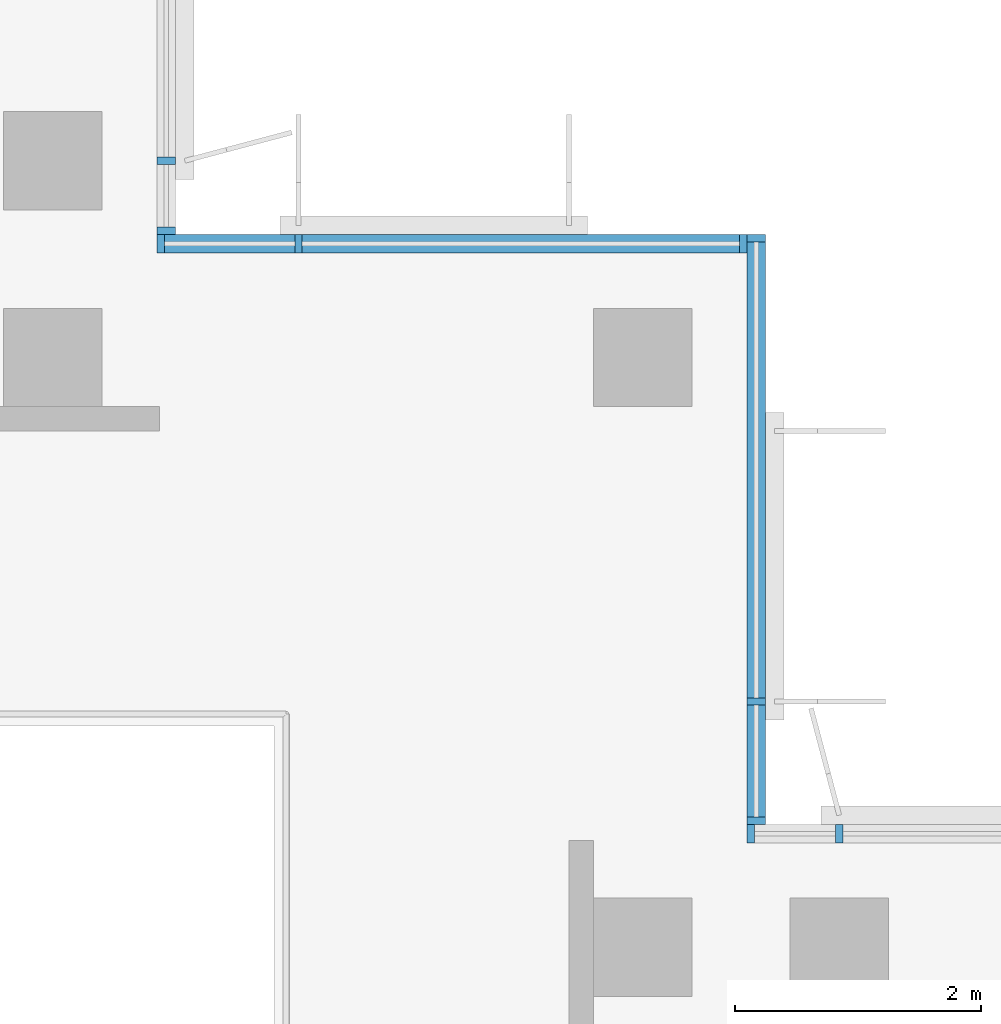
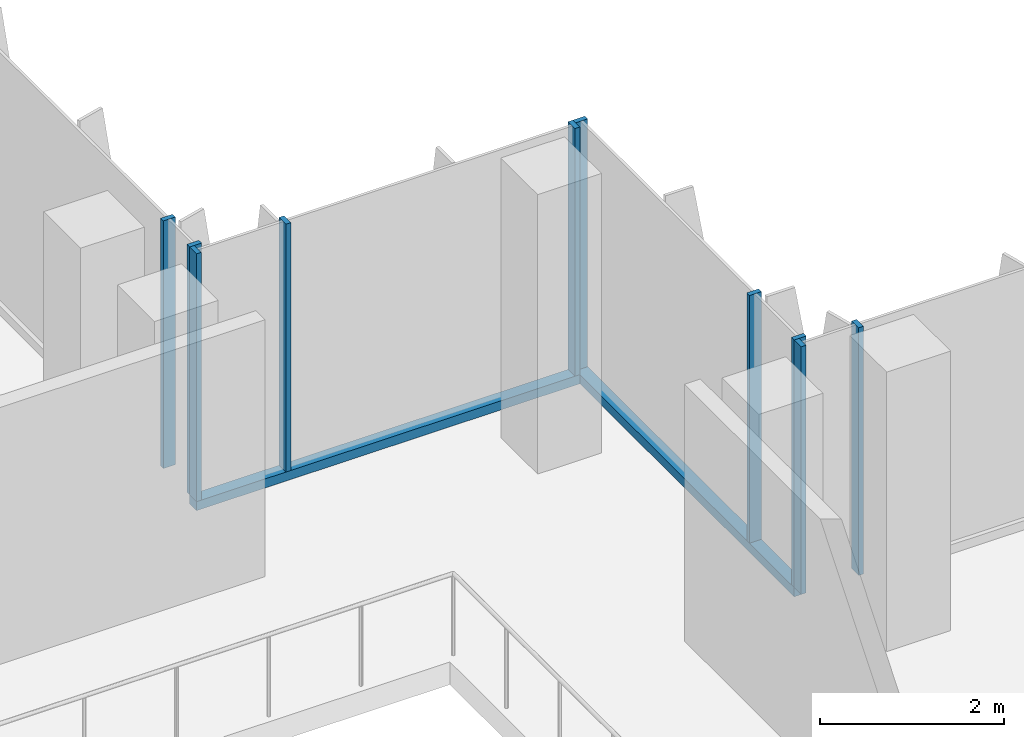
# One storey, part 2 of 15: 12 members, 4 elements without a shape of their own.
"""IFC4 building model written with IfcOpenShell, lengths in metres."""

import ifcopenshell
import ifcopenshell.guid

model = None  # the IFC model being written
_history = None  # IfcOwnerHistory: only IFC2X3 demands one
_inside = {}  # id of a spatial element -> (the spatial element, [elements in it])
_under = {}  # id of a project, library or spatial element -> (it, [spatial elements below it])
_declared = {}  # id of a project -> (the project, [libraries it declares])
_typed = {}  # id of a type object -> (the type object, [elements of that type])
_made_of = {}  # id of a material, layer set ... -> (it, [elements and type objects made of it])


def new_model(schema):
    """Start an empty IFC model of exactly this schema.

    Asked for "IFC4X3", IfcOpenShell would pick the latest addendum, in which some entities
    have other attributes; the version numbers below select the first issue.
    IFC2X3 requires an IfcOwnerHistory on every rooted entity: one is made here for all.
    """
    global model, _history
    if schema == "IFC4X3":
        model = ifcopenshell.file(schema_version=(4, 3, 0, 0))
    else:
        model = ifcopenshell.file(schema=schema)
    _inside.clear()
    _under.clear()
    _declared.clear()
    _typed.clear()
    _made_of.clear()
    _history = None
    if model.schema == "IFC2X3":
        org = make("IfcOrganization", Name="unknown")
        user = make(
            "IfcPersonAndOrganization",
            ThePerson=make("IfcPerson", FamilyName="unknown"),
            TheOrganization=org,
        )
        app = make(
            "IfcApplication",
            ApplicationDeveloper=org,
            Version="unknown",
            ApplicationFullName="unknown",
            ApplicationIdentifier="unknown",
        )
        _history = make(
            "IfcOwnerHistory",
            OwningUser=user,
            OwningApplication=app,
            ChangeAction="ADDED",
            CreationDate=0,
        )
    return model


def make(cls, **values):
    """One entity of the class cls with the attributes given. An attribute that is None is left unset."""
    return model.create_entity(
        cls, **{name: value for name, value in values.items() if value is not None}
    )


def rooted(cls, **values):
    """An entity with a GlobalId (a new one), such as an element, a storey or a relation."""
    return make(cls, GlobalId=ifcopenshell.guid.new(), OwnerHistory=_history, **values)


def si_unit(unit_type, name, prefix=None):
    """IfcSIUnit, for example si_unit("LENGTHUNIT", "METRE", prefix="MILLI")."""
    return make("IfcSIUnit", UnitType=unit_type, Prefix=prefix, Name=name)


def assignment(units):
    """IfcUnitAssignment: the units of a project."""
    return None if units is None else make("IfcUnitAssignment", Units=units)


def point(xyz):
    """IfcCartesianPoint."""
    return None if xyz is None else make("IfcCartesianPoint", Coordinates=xyz)


def direction(xyz):
    """IfcDirection."""
    return None if xyz is None else make("IfcDirection", DirectionRatios=xyz)


def frame(location, z_axis=None, x_axis=None):
    """IfcAxis2Placement3D, a coordinate frame: its origin and axes. An axis left out is left unset."""
    return make(
        "IfcAxis2Placement3D",
        Location=point(location),
        Axis=direction(z_axis),
        RefDirection=direction(x_axis),
    )


def frame_2d(location, x_axis=None):
    """IfcAxis2Placement2D, a coordinate frame in the plane: its origin and x axis."""
    return make(
        "IfcAxis2Placement2D", Location=point(location), RefDirection=direction(x_axis)
    )


def origin():
    """The frame at (0, 0, 0) with its axes left unset."""
    return frame((0.0, 0.0, 0.0))


def origin_2d():
    """The frame at (0, 0) in the plane with its x axis left unset."""
    return frame_2d((0.0, 0.0))


def place(relative_to, where):
    """IfcLocalPlacement: puts the frame where relative to a parent placement (None: the world)."""
    return make(
        "IfcLocalPlacement", PlacementRelTo=relative_to, RelativePlacement=where
    )


def context(
    kind, dimensions, precision=None, world=None, true_north=None, identifier=None
):
    """IfcGeometricRepresentationContext, for example the 3D "Model" context."""
    return make(
        "IfcGeometricRepresentationContext",
        ContextIdentifier=identifier,
        ContextType=kind,
        CoordinateSpaceDimension=dimensions,
        Precision=precision,
        WorldCoordinateSystem=world,
        TrueNorth=true_north,
    )


def subcontext(parent, identifier, kind, view, scale=None):
    """IfcGeometricRepresentationSubContext, for example "Body" below "Model"."""
    return make(
        "IfcGeometricRepresentationSubContext",
        ContextIdentifier=identifier,
        ContextType=kind,
        ParentContext=parent,
        TargetScale=scale,
        TargetView=view,
    )


def project(units=None, contexts=None):
    """IfcProject with its units and contexts."""
    return rooted(
        "IfcProject",
        Name="project",
        RepresentationContexts=contexts,
        UnitsInContext=assignment(units),
    )


def spatial(cls, under=None, at=None, **own):
    """A site, building, storey or space (cls), placed at a placement, below another one or the project."""
    s = rooted(cls, ObjectPlacement=at, **own)
    if under is not None:
        _under.setdefault(under.id(), (under, []))[1].append(s)
    return s


def profile(cls, at=None, kind="AREA", **sizes):
    """A parametric profile (cls). Its sizes go by their IFC names, for example OverallWidth=200.0."""
    return make(cls, ProfileType=kind, Position=at, **sizes)


def rectangle(**sizes):
    """IfcRectangleProfileDef."""
    return profile("IfcRectangleProfileDef", **sizes)


def extrude(swept, where, along, depth):
    """IfcExtrudedAreaSolid: the profile swept, set in the frame where, extruded along a direction by depth."""
    return make(
        "IfcExtrudedAreaSolid",
        SweptArea=swept,
        Position=where,
        ExtrudedDirection=direction(along),
        Depth=depth,
    )


def shape(context_of_items, identifier, shape_type, items):
    """IfcShapeRepresentation: the items that make up one representation, for example the "Body"."""
    return make(
        "IfcShapeRepresentation",
        ContextOfItems=context_of_items,
        RepresentationIdentifier=identifier,
        RepresentationType=shape_type,
        Items=items,
    )


def source(mapping_origin, context_of_items, identifier, shape_type, items):
    """IfcRepresentationMap: a shape defined once, which mapped items show again and again."""
    return make(
        "IfcRepresentationMap",
        MappingOrigin=mapping_origin,
        MappedRepresentation=shape(context_of_items, identifier, shape_type, items),
    )


def transform(
    local_origin,
    x_axis=None,
    y_axis=None,
    z_axis=None,
    scale=None,
    scale2=None,
    scale3=None,
    uniform=True,
):
    """IfcCartesianTransformationOperator3D, or its non-uniform kind. x_axis, y_axis, z_axis: its Axis1, 2, 3."""
    if uniform:
        return make(
            "IfcCartesianTransformationOperator3D",
            Axis1=direction(x_axis),
            Axis2=direction(y_axis),
            LocalOrigin=point(local_origin),
            Scale=scale,
            Axis3=direction(z_axis),
        )
    return make(
        "IfcCartesianTransformationOperator3DnonUniform",
        Axis1=direction(x_axis),
        Axis2=direction(y_axis),
        LocalOrigin=point(local_origin),
        Scale=scale,
        Axis3=direction(z_axis),
        Scale2=scale2,
        Scale3=scale3,
    )


def mapped(mapping_source, mapping_target):
    """IfcMappedItem: shows the shape of a source again, moved by a transform."""
    return make(
        "IfcMappedItem", MappingSource=mapping_source, MappingTarget=mapping_target
    )


def material(Name=None, Category=None):
    """IfcMaterial."""
    return make("IfcMaterial", Name=Name, Category=Category)


def material_profile(
    of_material, cross_section, Name=None, Category=None, Priority=None
):
    """IfcMaterialProfile: a cross section and its material."""
    return make(
        "IfcMaterialProfile",
        Name=Name,
        Material=of_material,
        Profile=cross_section,
        Priority=Priority,
        Category=Category,
    )


def profile_set(profiles, Name=None, composite=None):
    """IfcMaterialProfileSet."""
    return make(
        "IfcMaterialProfileSet",
        Name=Name,
        MaterialProfiles=profiles,
        CompositeProfile=composite,
    )


def made_of(thing, what):
    """Note that an element or type object is made of a material, layer set ...; save() writes the relation."""
    if what is not None:
        _made_of.setdefault(what.id(), (what, []))[1].append(thing)
    return thing


def type_object(cls, material=None, **own):
    """A type object (cls), such as IfcWallType, which elements share."""
    return made_of(rooted(cls, **own), material)


def element(
    cls,
    number,
    at=None,
    inside=None,
    cuts=None,
    type_object=None,
    material=None,
    context=None,
    identifier="Body",
    shape_type=None,
    held_by="IfcProductDefinitionShape",
    body=None,
    shapes=None,
    **own,
):
    """One element of the class cls, such as IfcWall. Its Tag is "e" and its number.

    at: its placement. inside: the storey or other place that contains it. cuts: it is an
    opening in that element (IfcRelVoidsElement). A single representation is given by context,
    identifier, shape_type and body (its items); several are given by shapes. held_by: the class
    of the entity that holds the representations. save() writes the other relations.
    """
    e = rooted(cls, Tag="e%d" % number, ObjectPlacement=at, **own)
    if body is not None:
        shapes = [shape(context, identifier, shape_type, body)]
    if shapes is not None:
        e.Representation = make(held_by, Representations=shapes)
    if inside is not None:
        _inside.setdefault(inside.id(), (inside, []))[1].append(e)
    if cuts is not None:
        rooted(
            "IfcRelVoidsElement", RelatingBuildingElement=cuts, RelatedOpeningElement=e
        )
    if type_object is not None:
        _typed.setdefault(type_object.id(), (type_object, []))[1].append(e)
    return made_of(e, material)


def aggregate(whole, parts):
    """IfcRelAggregates: a whole, such as a stair, and the parts it consists of."""
    return rooted("IfcRelAggregates", RelatingObject=whole, RelatedObjects=parts)


def save(model, path):
    """Write the relations noted so far, then the file.

    IfcRelAggregates (storeys below a building ...), IfcRelContainedInSpatialStructure (elements
    in a storey), IfcRelDefinesByType, IfcRelAssociatesMaterial and IfcRelDeclares: one each for
    every whole, place, type object, material and project.
    """
    for whole, parts in _under.values():
        aggregate(whole, parts)
    for where, things in _inside.values():
        rooted(
            "IfcRelContainedInSpatialStructure",
            RelatedElements=things,
            RelatingStructure=where,
        )
    for kind, things in _typed.values():
        rooted("IfcRelDefinesByType", RelatedObjects=things, RelatingType=kind)
    for what, things in _made_of.values():
        rooted("IfcRelAssociatesMaterial", RelatedObjects=things, RelatingMaterial=what)
    for by, libraries in _declared.values():
        rooted("IfcRelDeclares", RelatingContext=by, RelatedDefinitions=libraries)
    model.write(path)


model = new_model("IFC4")

# Units and contexts
model_context = context("Model", 3, precision=1e-05, world=origin(), true_north=direction((0.0, 1.0)))
body_context = subcontext(model_context, "Body", "Model", "MODEL_VIEW")
ifc_project = project(units=[si_unit("LENGTHUNIT", "METRE"), si_unit("AREAUNIT", "SQUARE_METRE"), si_unit("VOLUMEUNIT", "CUBIC_METRE"), si_unit("PLANEANGLEUNIT", "RADIAN"), si_unit("MASSUNIT", "GRAM", prefix="KILO")], contexts=[model_context])

# Site, building, storey
site_placement = place(None, origin())
site = spatial("IfcSite", under=ifc_project, at=site_placement, CompositionType="ELEMENT")
building_placement = place(site_placement, origin())
building = spatial("IfcBuilding", under=site, at=building_placement, Name="Kemantara Hotel Tower", CompositionType="ELEMENT")
storey_placement = place(building_placement, frame((0.0, 0.0, 279.60009765625)))
storey = spatial("IfcBuildingStorey", under=building, at=storey_placement, Name="L70", CompositionType="ELEMENT", Elevation=279.60009765625)

# Curtain wall, member
ifc_material_1 = material(Name="Low-E tinted double insulated glass 36 mm", Category="glass")
curtain_wall_type = type_object("IfcCurtainWallType", Name="TOWER CURTAIN WALL, FRONT FACES", PredefinedType="USERDEFINED", material=ifc_material_1)
curtain_wall_1_placement = place(storey_placement, origin())
curtain_wall_1 = element("IfcCurtainWall", 1, at=curtain_wall_1_placement, inside=storey, type_object=curtain_wall_type, Name="CW4 L70 T4-R13-1", ObjectType="TOWER CURTAIN WALL, FRONT FACES", PredefinedType="USERDEFINED")
ifc_material_2 = material(Name="Aluminium 6063-T6 bronze anodised", Category="aluminium")
ifc_material_profile_1 = material_profile(ifc_material_2, rectangle(XDim=0.14990234375, YDim=0.1201171875, at=origin_2d()), Name="TOWER CURTAIN WALL, FRONT FACES TRANSOM")
ifc_profile_set_1 = profile_set([ifc_material_profile_1], Name="Aluminium 6063-T6 bronze anodised")
member_type_1 = type_object("IfcMemberType", Name="TOWER CURTAIN WALL, FRONT FACES TRANSOM", PredefinedType="USERDEFINED", material=ifc_profile_set_1)
member_1_placement = place(storey_placement, frame((26.72509765625, 22.0, 0.059814453125), z_axis=(0.0, 1.0, 0.0), x_axis=(-1.0, 0.0, 0.0)))
member_1 = element("IfcMember", 2, at=member_1_placement, type_object=member_type_1, Name="CW4 sill transom T4-R13-1", ObjectType="TRANSOM", PredefinedType="USERDEFINED", context=body_context, shape_type="SweptSolid", body=[
    extrude(rectangle(XDim=0.14990234375, YDim=0.1201171875, at=origin_2d()), origin(), (0.0, 0.0, 1.0), 4.800048828125),
])

curtain_wall_2_placement = place(storey_placement, origin())
curtain_wall_2 = element("IfcCurtainWall", 3, at=curtain_wall_2_placement, inside=storey, type_object=curtain_wall_type, Name="CW4 L70 T4-R14-1", ObjectType="TOWER CURTAIN WALL, FRONT FACES", PredefinedType="USERDEFINED")
member_2_placement = place(storey_placement, frame((26.64990234375, 26.72509765625, 0.059814453125), z_axis=(-1.0, 0.0, 0.0), x_axis=(0.0, -1.0, 0.0)))
member_2 = element("IfcMember", 4, at=member_2_placement, type_object=member_type_1, Name="CW4 sill transom T4-R14-1", ObjectType="TRANSOM", PredefinedType="USERDEFINED", context=body_context, shape_type="SweptSolid", body=[
    extrude(rectangle(XDim=0.14990234375, YDim=0.1201171875, at=origin_2d()), origin(), (0.0, 0.0, 1.0), 4.7998046875),
])

# Curtain wall, members
curtain_wall_3_placement = place(storey_placement, origin())
curtain_wall_3 = element("IfcCurtainWall", 5, at=curtain_wall_3_placement, inside=storey, type_object=curtain_wall_type, Name="CW4 L70 T4-R12-1", ObjectType="TOWER CURTAIN WALL, FRONT FACES", PredefinedType="USERDEFINED")
ifc_material_profile_2 = material_profile(ifc_material_2, rectangle(XDim=0.14990234375, YDim=0.06005859375, at=origin_2d()), Name="TOWER CURTAIN WALL, FRONT FACES MULLION")
ifc_profile_set_2 = profile_set([ifc_material_profile_2], Name="Aluminium 6063-T6 bronze anodised")
member_type_2 = type_object("IfcMemberType", Name="TOWER CURTAIN WALL, FRONT FACES MULLION", PredefinedType="MULLION", material=ifc_profile_set_2)
shared_shape = source(origin(), body_context, "Body", "SweptSolid", [
    extrude(rectangle(XDim=0.14990234375, YDim=0.06005859375, at=origin_2d()), origin(), (0.0, 0.0, 1.0), 3.280029296875),
])
member_3_placement = place(storey_placement, frame((27.39990234375, 21.925048828125, 0.119873046875), z_axis=(0.0, 0.0, 1.0), x_axis=(0.0, -1.0, 0.0)))
member_3 = element("IfcMember", 6, at=member_3_placement, type_object=member_type_2, Name="CW4 mullion T4-R12-1.5", PredefinedType="MULLION", context=body_context, shape_type="MappedRepresentation", body=[
    mapped(shared_shape, transform((0.0, 0.0, 0.0))),
])
member_4_placement = place(storey_placement, frame((26.679931640625, 21.925048828125, 0.119873046875), z_axis=(0.0, 0.0, 1.0), x_axis=(0.0, -1.0, 0.0)))
member_4 = element("IfcMember", 7, at=member_4_placement, type_object=member_type_2, Name="CW4 mullion T4-R12-1.6", PredefinedType="MULLION", context=body_context, shape_type="MappedRepresentation", body=[
    mapped(shared_shape, transform((0.0, 0.0, 0.0))),
])
aggregate(curtain_wall_3, [member_3, member_4])

# Member
member_5_placement = place(storey_placement, frame((26.72509765625, 22.030029296875, 0.119873046875), z_axis=(0.0, 0.0, 1.0), x_axis=(-1.0, 0.0, 0.0)))
member_5 = element("IfcMember", 8, at=member_5_placement, type_object=member_type_2, Name="CW4 mullion T4-R13-1.1", PredefinedType="MULLION", context=body_context, shape_type="MappedRepresentation", body=[
    mapped(shared_shape, transform((0.0, 0.0, 0.0))),
])

member_6_placement = place(storey_placement, frame((26.72509765625, 23.0, 0.119873046875), z_axis=(0.0, 0.0, 1.0), x_axis=(-1.0, 0.0, 0.0)))
member_6 = element("IfcMember", 9, at=member_6_placement, type_object=member_type_2, Name="CW4 mullion T4-R13-1.2", PredefinedType="MULLION", context=body_context, shape_type="MappedRepresentation", body=[
    mapped(shared_shape, transform((0.0, 0.0, 0.0))),
])

member_7_placement = place(storey_placement, frame((26.72509765625, 26.77001953125, 0.119873046875), z_axis=(0.0, 0.0, 1.0), x_axis=(-1.0, 0.0, 0.0)))
member_7 = element("IfcMember", 10, at=member_7_placement, type_object=member_type_2, Name="CW4 mullion T4-R13-1.3", PredefinedType="MULLION", context=body_context, shape_type="MappedRepresentation", body=[
    mapped(shared_shape, transform((0.0, 0.0, 0.0))),
])

aggregate(curtain_wall_1, [member_1, member_5, member_6, member_7])

member_8_placement = place(storey_placement, frame((26.6201171875, 26.72509765625, 0.119873046875), z_axis=(0.0, 0.0, 1.0), x_axis=(0.0, -1.0, 0.0)))
member_8 = element("IfcMember", 11, at=member_8_placement, type_object=member_type_2, Name="CW4 mullion T4-R14-1.1", PredefinedType="MULLION", context=body_context, shape_type="MappedRepresentation", body=[
    mapped(shared_shape, transform((0.0, 0.0, 0.0))),
])

member_9_placement = place(storey_placement, frame((23.0, 26.72509765625, 0.119873046875), z_axis=(0.0, 0.0, 1.0), x_axis=(0.0, -1.0, 0.0)))
member_9 = element("IfcMember", 12, at=member_9_placement, type_object=member_type_2, Name="CW4 mullion T4-R14-1.2", PredefinedType="MULLION", context=body_context, shape_type="MappedRepresentation", body=[
    mapped(shared_shape, transform((0.0, 0.0, 0.0))),
])

member_10_placement = place(storey_placement, frame((21.8798828125, 26.72509765625, 0.119873046875), z_axis=(0.0, 0.0, 1.0), x_axis=(0.0, -1.0, 0.0)))
member_10 = element("IfcMember", 13, at=member_10_placement, type_object=member_type_2, Name="CW4 mullion T4-R14-1.3", PredefinedType="MULLION", context=body_context, shape_type="MappedRepresentation", body=[
    mapped(shared_shape, transform((0.0, 0.0, 0.0))),
])

aggregate(curtain_wall_2, [member_2, member_8, member_9, member_10])

# Curtain wall, members
curtain_wall_4_placement = place(storey_placement, origin())
curtain_wall_4 = element("IfcCurtainWall", 14, at=curtain_wall_4_placement, inside=storey, type_object=curtain_wall_type, Name="CW4 L70 T4-R15-1", ObjectType="TOWER CURTAIN WALL, FRONT FACES", PredefinedType="USERDEFINED")
member_11_placement = place(storey_placement, frame((21.925048828125, 26.830078125, 0.119873046875), z_axis=(0.0, 0.0, 1.0), x_axis=(-1.0, 0.0, 0.0)))
member_11 = element("IfcMember", 15, at=member_11_placement, type_object=member_type_2, Name="CW4 mullion T4-R15-1.1", PredefinedType="MULLION", context=body_context, shape_type="MappedRepresentation", body=[
    mapped(shared_shape, transform((0.0, 0.0, 0.0))),
])
member_12_placement = place(storey_placement, frame((21.925048828125, 27.39990234375, 0.119873046875), z_axis=(0.0, 0.0, 1.0), x_axis=(-1.0, 0.0, 0.0)))
member_12 = element("IfcMember", 16, at=member_12_placement, type_object=member_type_2, Name="CW4 mullion T4-R15-1.2", PredefinedType="MULLION", context=body_context, shape_type="MappedRepresentation", body=[
    mapped(shared_shape, transform((0.0, 0.0, 0.0))),
])
aggregate(curtain_wall_4, [member_11, member_12])

save(model, "model.ifc")
